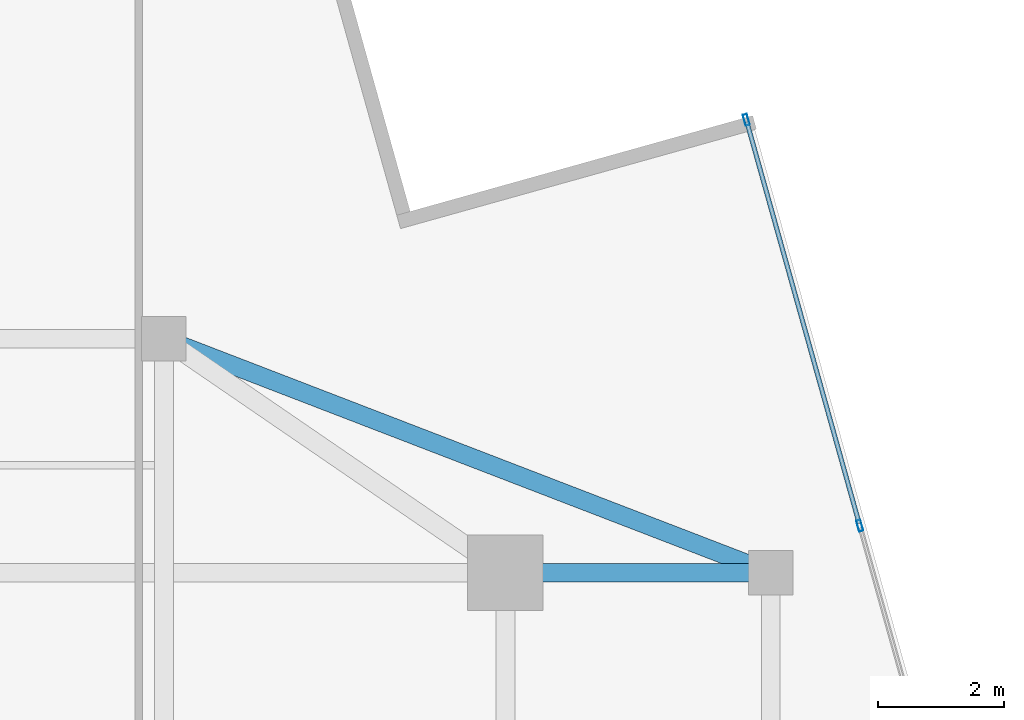
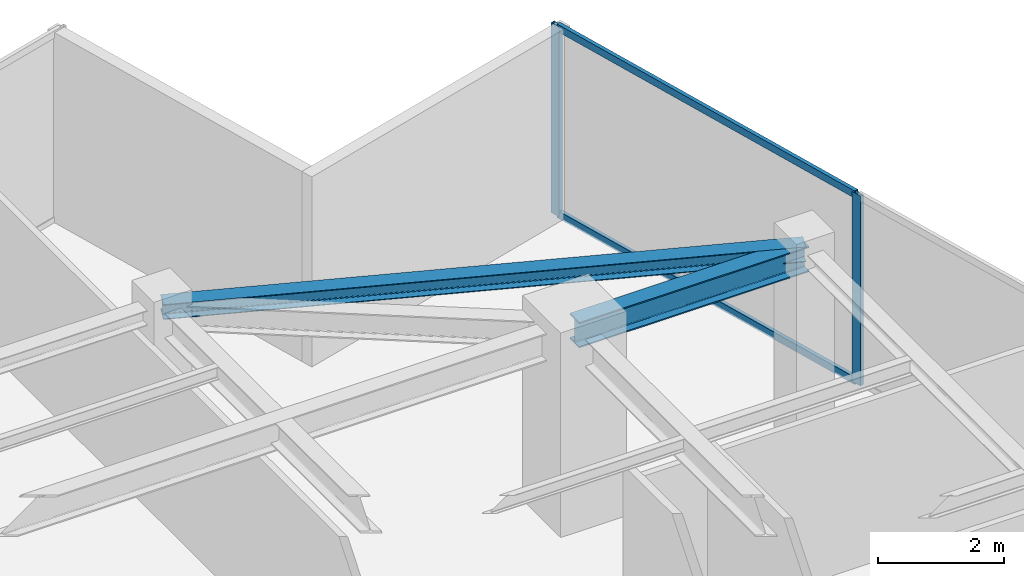
# One storey, part 15 of 20: 4 members, 2 beams, 1 element without a shape of its own.
"""IFC4 building model written with IfcOpenShell, lengths in metres."""

from ifc_helpers import new_model, si_unit, direction, frame, origin, origin_2d, place, context, subcontext, project, spatial, hollow_rectangle, i_section, extrude, source, transform, mapped, material, material_profile, profile_set, type_object, type_shapes, element, aggregate, save


model = new_model("IFC4")

# Units and contexts
model_context = context("Model", 3, precision=1e-05, world=origin(), true_north=direction((0.0, 1.0)))
body_context = subcontext(model_context, "Body", "Model", "MODEL_VIEW")
ifc_project = project(units=[si_unit("LENGTHUNIT", "METRE"), si_unit("AREAUNIT", "SQUARE_METRE"), si_unit("VOLUMEUNIT", "CUBIC_METRE"), si_unit("PLANEANGLEUNIT", "RADIAN"), si_unit("MASSUNIT", "GRAM", prefix="KILO")], contexts=[model_context])

# Site, building, storey
site_placement = place(None, origin())
site = spatial("IfcSite", under=ifc_project, at=site_placement, CompositionType="ELEMENT")
building_placement = place(site_placement, origin())
building = spatial("IfcBuilding", under=site, at=building_placement, Name="Krantzveldt Concourse Tower", CompositionType="ELEMENT")
storey_placement = place(building_placement, frame((0.0, 0.0, 351.39990234375)))
storey = spatial("IfcBuildingStorey", under=building, at=storey_placement, Name="L86", CompositionType="ELEMENT", Elevation=351.39990234375)

# Beams
ifc_material_1 = material(Name="Steel S355JR", Category="steel")
ifc_material_profile_1 = material_profile(ifc_material_1, i_section(OverallWidth=0.300048828125, OverallDepth=0.489990234375, WebThickness=0.011962890625, FlangeThickness=0.02294921875, FilletRadius=0.027099609375, at=origin_2d()), Name="Steel S355JR", Category="steel")
ifc_profile_set_1 = profile_set([ifc_material_profile_1], Name="Steel S355JR - HEA 500")
beam_type_1 = type_object("IfcBeamType", Name="BM-B-HEA500", PredefinedType="BEAM", material=ifc_profile_set_1)
shared_shape_1 = source(origin(), body_context, "Body", "SweptSolid", [
    extrude(i_section(OverallWidth=0.300048828125, OverallDepth=0.489990234375, WebThickness=0.011962890625, FlangeThickness=0.02294921875, FilletRadius=0.027099609375, at=origin_2d()), origin(), (0.0, 0.0, 1.0), 4.199951171875),
])
type_shapes(beam_type_1, [shared_shape_1])
beam_1_placement = place(storey_placement, frame((46.800048828125, 37.5, 3.425048828125), z_axis=(1.0, 0.0, 0.0), x_axis=(0.0, 1.0, 0.0)))
element("IfcBeam", 1, at=beam_1_placement, inside=storey, type_object=beam_type_1, Name="L86 Tower Girder BR-RR3", PredefinedType="BEAM", context=body_context, shape_type="MappedRepresentation", body=[
    mapped(shared_shape_1, transform((0.0, 0.0, 0.0), x_axis=(1.0, 0.0, 0.0), y_axis=(0.0, 1.0, 0.0), z_axis=(0.0, 0.0, 1.0), scale=1.0)),
])
ifc_material_profile_2 = material_profile(ifc_material_1, i_section(OverallWidth=0.2900390625, OverallDepth=0.2900390625, WebThickness=0.008544921875, FlangeThickness=0.013916015625, FilletRadius=0.027099609375, at=origin_2d()), Name="Steel S355JR", Category="steel")
ifc_profile_set_2 = profile_set([ifc_material_profile_2], Name="Steel S355JR - HEA 300")
beam_type_2 = type_object("IfcBeamType", Name="BM-SP-HEA300", PredefinedType="SPANDREL", material=ifc_profile_set_2)
shared_shape_2 = source(origin(), body_context, "Body", "SweptSolid", [
    extrude(i_section(OverallWidth=0.2900390625, OverallDepth=0.2900390625, WebThickness=0.008544921875, FlangeThickness=0.013916015625, FilletRadius=0.027099609375, at=origin_2d()), origin(), (0.0, 0.0, 1.0), 10.288330078125),
])
type_shapes(beam_type_2, [shared_shape_2])
beam_2_placement = place(storey_placement, frame((41.39990234375, 41.199951171875, 3.525146484375), z_axis=(0.933097690408, -0.359622997257, 0.0), x_axis=(0.359622997257, 0.933097690408, 0.0)))
element("IfcBeam", 2, at=beam_2_placement, inside=storey, type_object=beam_type_2, Name="L86 Tower Girder SP-R05", PredefinedType="SPANDREL", context=body_context, shape_type="MappedRepresentation", body=[
    mapped(shared_shape_2, transform((0.0, 0.0, 0.0), x_axis=(1.0, 0.0, 0.0), y_axis=(0.0, 1.0, 0.0), z_axis=(0.0, 0.0, 1.0), scale=1.0)),
])

# Curtain wall, members
ifc_material_2 = material(Name="Anodised aluminium 6063-T6", Category="aluminium")
curtain_wall_type = type_object("IfcCurtainWallType", Name="CW4", PredefinedType="USERDEFINED", material=ifc_material_2)
curtain_wall_placement = place(storey_placement, origin())
curtain_wall = element("IfcCurtainWall", 3, at=curtain_wall_placement, inside=storey, type_object=curtain_wall_type, Name="CW-L86-F10", ObjectType="UNITISED CURTAIN WALL", PredefinedType="USERDEFINED")
ifc_material_profile_3 = material_profile(ifc_material_2, hollow_rectangle(XDim=0.070068359375, YDim=0.179931640625, WallThickness=0.0048828125, at=origin_2d()), Name="Anodised aluminium 6063-T6", Category="aluminium")
ifc_profile_set_3 = profile_set([ifc_material_profile_3], Name="Anodised aluminium 6063-T6 - ALU-MULL 180x70x5")
member_type_1 = type_object("IfcMemberType", Name="CW-MUL-180", PredefinedType="MULLION", material=ifc_profile_set_3)
shared_shape_3 = source(origin(), body_context, "Body", "SweptSolid", [
    extrude(hollow_rectangle(XDim=0.070068359375, YDim=0.179931640625, WallThickness=0.0048828125, at=origin_2d()), origin(), (0.0, 0.0, 1.0), 3.670166015625),
])
type_shapes(member_type_1, [shared_shape_3])
member_1_placement = place(storey_placement, frame((52.406494140625, 38.24560546875, 0.0), z_axis=(0.0, 0.0, 1.0), x_axis=(-0.963045170968, -0.269339931454, 0.0)))
member_1 = element("IfcMember", 4, at=member_1_placement, type_object=member_type_1, Name="CW-Z56 mullion 4", PredefinedType="MULLION", context=body_context, shape_type="MappedRepresentation", body=[
    mapped(shared_shape_3, transform((0.0, 0.0, 0.0), x_axis=(1.0, 0.0, 0.0), y_axis=(0.0, 1.0, 0.0), z_axis=(0.0, 0.0, 1.0), scale=1.0)),
])
member_2_placement = place(storey_placement, frame((50.611572265625, 44.664306640625, 0.0), z_axis=(0.0, 0.0, 1.0), x_axis=(-0.963045170968, -0.269339931454, 0.0)))
member_2 = element("IfcMember", 5, at=member_2_placement, type_object=member_type_1, Name="CW-Z56 mullion 5", PredefinedType="MULLION", context=body_context, shape_type="MappedRepresentation", body=[
    mapped(shared_shape_3, transform((0.0, 0.0, 0.0), x_axis=(1.0, 0.0, 0.0), y_axis=(0.0, 1.0, 0.0), z_axis=(0.0, 0.0, 1.0), scale=1.0)),
])
ifc_material_profile_4 = material_profile(ifc_material_2, hollow_rectangle(XDim=0.070068359375, YDim=0.139892578125, WallThickness=0.0048828125, at=origin_2d()), Name="Anodised aluminium 6063-T6", Category="aluminium")
ifc_profile_set_4 = profile_set([ifc_material_profile_4], Name="Anodised aluminium 6063-T6 - ALU-TRAN 140x70x5")
member_type_2 = type_object("IfcMemberType", Name="CW-TRN-150", PredefinedType="USERDEFINED", material=ifc_profile_set_4)
shared_shape_4 = source(origin(), body_context, "Body", "SweptSolid", [
    extrude(hollow_rectangle(XDim=0.070068359375, YDim=0.139892578125, WallThickness=0.0048828125, at=origin_2d()), origin(), (0.0, 0.0, 1.0), 6.594970703125),
])
type_shapes(member_type_2, [shared_shape_4])
member_3_placement = place(storey_placement, frame((52.397216796875, 38.279296875, 0.03515625), z_axis=(-0.269348428694, 0.963042794459, 0.0), x_axis=(-0.963042794459, -0.269348428694, 0.0)))
member_3 = element("IfcMember", 6, at=member_3_placement, type_object=member_type_2, Name="CW-Z56 transom 4.1", ObjectType="TRANSOM", PredefinedType="USERDEFINED", context=body_context, shape_type="MappedRepresentation", body=[
    mapped(shared_shape_4, transform((0.0, 0.0, 0.0), x_axis=(1.0, 0.0, 0.0), y_axis=(0.0, 1.0, 0.0), z_axis=(0.0, 0.0, 1.0), scale=1.0)),
])
member_4_placement = place(storey_placement, frame((52.397216796875, 38.279296875, 3.635009765625), z_axis=(-0.269348428694, 0.963042794459, 0.0), x_axis=(-0.963042794459, -0.269348428694, 0.0)))
member_4 = element("IfcMember", 7, at=member_4_placement, type_object=member_type_2, Name="CW-Z56 transom 4.2", ObjectType="TRANSOM", PredefinedType="USERDEFINED", context=body_context, shape_type="MappedRepresentation", body=[
    mapped(shared_shape_4, transform((0.0, 0.0, 0.0), x_axis=(1.0, 0.0, 0.0), y_axis=(0.0, 1.0, 0.0), z_axis=(0.0, 0.0, 1.0), scale=1.0)),
])
aggregate(curtain_wall, [member_1, member_2, member_3, member_4])

save(model, "model.ifc")
